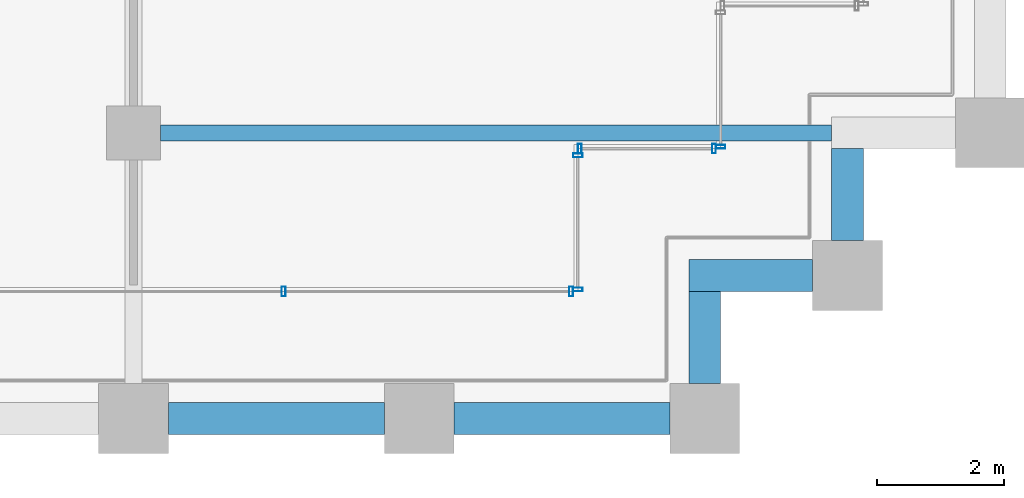
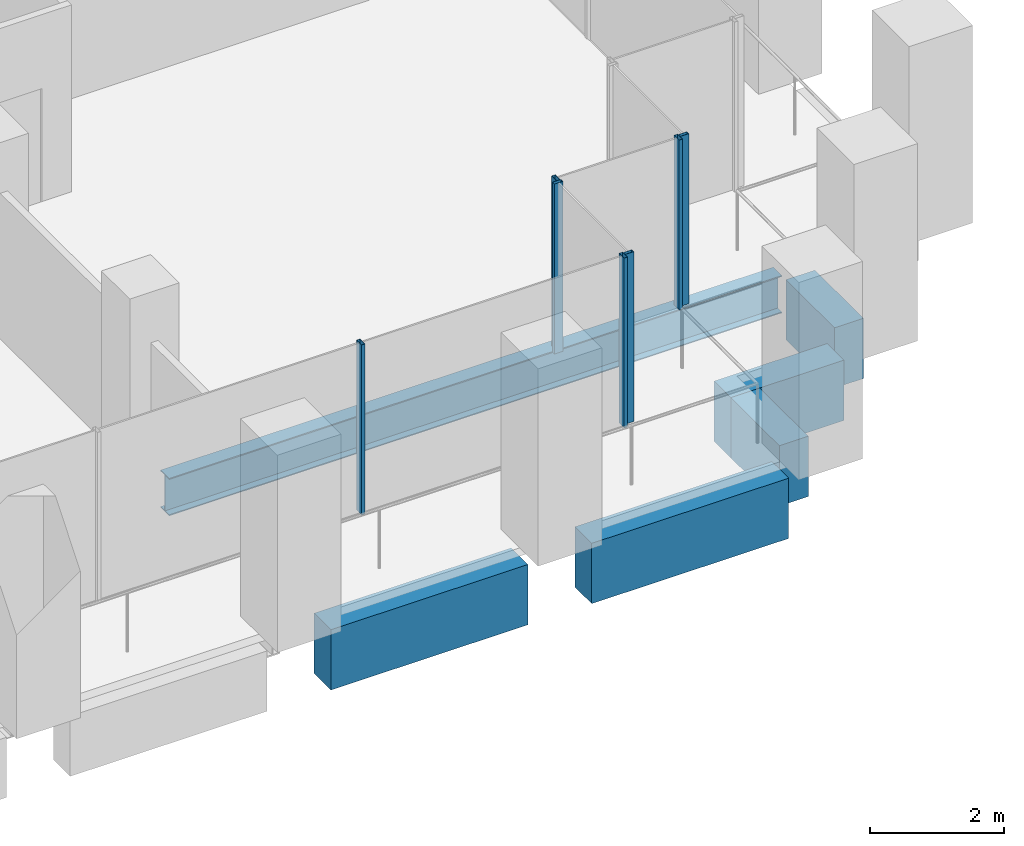
# One storey, part 15 of 56: 7 members, 6 beams, 4 elements without a shape of their own.
"""IFC4 building model written with IfcOpenShell, lengths in metres."""

from ifc_helpers import new_model, si_unit, direction, frame, origin, origin_2d, place, context, subcontext, project, spatial, rectangle, hollow_rectangle, i_section, extrude, material, material_profile, profile_set, type_object, element, aggregate, save


model = new_model("IFC4")

# Units and contexts
model_context = context("Model", 3, precision=1e-05, world=origin(), true_north=direction((0.0, 1.0)))
body_context = subcontext(model_context, "Body", "Model", "MODEL_VIEW")
ifc_project = project(units=[si_unit("LENGTHUNIT", "METRE"), si_unit("AREAUNIT", "SQUARE_METRE"), si_unit("VOLUMEUNIT", "CUBIC_METRE"), si_unit("PLANEANGLEUNIT", "RADIAN"), si_unit("MASSUNIT", "GRAM", prefix="KILO")], contexts=[model_context])

# Site, building, storey
site_placement = place(None, origin())
site = spatial("IfcSite", under=ifc_project, at=site_placement, CompositionType="ELEMENT")
building_placement = place(site_placement, origin())
building = spatial("IfcBuilding", under=site, at=building_placement, Name="Altepetl Exchange Towers", CompositionType="ELEMENT")
storey_placement = place(building_placement, frame((0.0, 0.0, 54.60009765625)))
storey = spatial("IfcBuildingStorey", under=building, at=storey_placement, Name="L12", CompositionType="ELEMENT", Elevation=54.60009765625)

# Beam
ifc_material_1 = material(Name="Steel S355", Category="steel")
ifc_material_profile_1 = material_profile(ifc_material_1, i_section(OverallWidth=0.25390625, OverallDepth=0.68408203125, WebThickness=0.012451171875, FlangeThickness=0.018798828125, at=origin_2d()), Name="W27X94")
ifc_profile_set_1 = profile_set([ifc_material_profile_1], Name="Steel S355")
beam_type_1 = type_object("IfcBeamType", Name="Floor beam W27X94", PredefinedType="BEAM", material=ifc_profile_set_1)
beam_1_placement = place(storey_placement, frame((58.925048828125, 31.5, -0.4921875), z_axis=(1.0, 0.0, 0.0), x_axis=(0.0, 1.0, 0.0)))
element("IfcBeam", 1, at=beam_1_placement, inside=storey, type_object=beam_type_1, Name="bm:A:L12:006", PredefinedType="BEAM", context=body_context, shape_type="SweptSolid", body=[
    extrude(i_section(OverallWidth=0.25390625, OverallDepth=0.68408203125, WebThickness=0.012451171875, FlangeThickness=0.018798828125, at=origin_2d()), origin(), (0.0, 0.0, 1.0), 10.574951171875),
])

# Curtain wall, members
ifc_material_2 = material(Name="Aluminium 6063-T6 glazing", Category="aluminium")
curtain_wall_type = type_object("IfcCurtainWallType", Name="Loggia glazing system", PredefinedType="NOTDEFINED", material=ifc_material_2)
curtain_wall_1_placement = place(storey_placement, origin())
curtain_wall_1 = element("IfcCurtainWall", 2, at=curtain_wall_1_placement, inside=storey, type_object=curtain_wall_type, Name="CW1 run", PredefinedType="NOTDEFINED")
ifc_material_3 = material(Name="Aluminium 6063-T6", Category="aluminium")
ifc_material_profile_2 = material_profile(ifc_material_3, hollow_rectangle(XDim=0.06005859375, YDim=0.14990234375, WallThickness=0.0029296875, at=origin_2d()), Name="Mullion 60x150 aluminium")
ifc_profile_set_2 = profile_set([ifc_material_profile_2], Name="Aluminium 6063-T6")
member_type = type_object("IfcMemberType", Name="Mullion 60x150 aluminium", PredefinedType="MULLION", material=ifc_profile_set_2)
member_1_placement = place(storey_placement, frame((60.8642578125, 29.0, 0.0)))
member_1 = element("IfcMember", 3, at=member_1_placement, type_object=member_type, Name="MU1 mullion", PredefinedType="MULLION", context=body_context, shape_type="SweptSolid", body=[
    extrude(hollow_rectangle(XDim=0.06005859375, YDim=0.14990234375, WallThickness=0.0029296875, at=origin_2d()), origin(), (0.0, 0.0, 1.0), 3.099853515625),
])
member_2_placement = place(storey_placement, frame((65.39501953125, 29.0, 0.0)))
member_2 = element("IfcMember", 4, at=member_2_placement, type_object=member_type, Name="MU1 mullion", PredefinedType="MULLION", context=body_context, shape_type="SweptSolid", body=[
    extrude(hollow_rectangle(XDim=0.06005859375, YDim=0.14990234375, WallThickness=0.0029296875, at=origin_2d()), origin(), (0.0, 0.0, 1.0), 3.099853515625),
])
aggregate(curtain_wall_1, [member_1, member_2])

curtain_wall_2_placement = place(storey_placement, origin())
curtain_wall_2 = element("IfcCurtainWall", 5, at=curtain_wall_2_placement, inside=storey, type_object=curtain_wall_type, Name="CW1 run", PredefinedType="NOTDEFINED")
member_3_placement = place(storey_placement, frame((65.5, 29.030029296875, 0.0), z_axis=(0.0, 0.0, 1.0), x_axis=(0.0, 1.0, 0.0)))
member_3 = element("IfcMember", 6, at=member_3_placement, type_object=member_type, Name="MU1 mullion", PredefinedType="MULLION", context=body_context, shape_type="SweptSolid", body=[
    extrude(hollow_rectangle(XDim=0.06005859375, YDim=0.14990234375, WallThickness=0.0029296875, at=origin_2d()), origin(), (0.0, 0.0, 1.0), 3.099853515625),
])
member_4_placement = place(storey_placement, frame((65.5, 31.14501953125, 0.0), z_axis=(0.0, 0.0, 1.0), x_axis=(0.0, 1.0, 0.0)))
member_4 = element("IfcMember", 7, at=member_4_placement, type_object=member_type, Name="MU1 mullion", PredefinedType="MULLION", context=body_context, shape_type="SweptSolid", body=[
    extrude(hollow_rectangle(XDim=0.06005859375, YDim=0.14990234375, WallThickness=0.0029296875, at=origin_2d()), origin(), (0.0, 0.0, 1.0), 3.099853515625),
])
aggregate(curtain_wall_2, [member_3, member_4])

curtain_wall_3_placement = place(storey_placement, origin())
curtain_wall_3 = element("IfcCurtainWall", 8, at=curtain_wall_3_placement, inside=storey, type_object=curtain_wall_type, Name="CW1 run", PredefinedType="NOTDEFINED")
member_5_placement = place(storey_placement, frame((65.530029296875, 31.25, 0.0)))
member_5 = element("IfcMember", 9, at=member_5_placement, type_object=member_type, Name="MU1 mullion", PredefinedType="MULLION", context=body_context, shape_type="SweptSolid", body=[
    extrude(hollow_rectangle(XDim=0.06005859375, YDim=0.14990234375, WallThickness=0.0029296875, at=origin_2d()), origin(), (0.0, 0.0, 1.0), 3.099853515625),
])
member_6_placement = place(storey_placement, frame((67.64501953125, 31.25, 0.0)))
member_6 = element("IfcMember", 10, at=member_6_placement, type_object=member_type, Name="MU1 mullion", PredefinedType="MULLION", context=body_context, shape_type="SweptSolid", body=[
    extrude(hollow_rectangle(XDim=0.06005859375, YDim=0.14990234375, WallThickness=0.0029296875, at=origin_2d()), origin(), (0.0, 0.0, 1.0), 3.099853515625),
])
aggregate(curtain_wall_3, [member_5, member_6])

# Curtain wall, member
curtain_wall_4_placement = place(storey_placement, origin())
curtain_wall_4 = element("IfcCurtainWall", 11, at=curtain_wall_4_placement, inside=storey, type_object=curtain_wall_type, Name="CW1 run", PredefinedType="NOTDEFINED")
member_7_placement = place(storey_placement, frame((67.75, 31.280029296875, 0.0), z_axis=(0.0, 0.0, 1.0), x_axis=(0.0, 1.0, 0.0)))
member_7 = element("IfcMember", 12, at=member_7_placement, type_object=member_type, Name="MU1 mullion", PredefinedType="MULLION", context=body_context, shape_type="SweptSolid", body=[
    extrude(hollow_rectangle(XDim=0.06005859375, YDim=0.14990234375, WallThickness=0.0029296875, at=origin_2d()), origin(), (0.0, 0.0, 1.0), 3.099853515625),
])
aggregate(curtain_wall_4, [member_7])

# Beams
ifc_material_4 = material(Name="Concrete C50/60 precast with cantera amarilla facing", Category="concrete")
ifc_material_profile_3 = material_profile(ifc_material_4, rectangle(XDim=0.5, YDim=1.10009765625, at=origin_2d()), Name="500 x 1100")
ifc_profile_set_3 = profile_set([ifc_material_profile_3], Name="Concrete C50/60 precast with cantera amarilla facing")
beam_type_2 = type_object("IfcBeamType", Name="Spandrel beam 500x1100 cantera amarilla", PredefinedType="SPANDREL", material=ifc_profile_set_3)
for number, where, z_axis, x_axis, name in (
    (13, (59.050048828125, 27.0, -0.7001953125), (1.0, 0.0, 0.0), (0.0, 1.0, 0.0), "sp:A:L12:006"),
    (14, (63.550048828125, 27.0, -0.7001953125), (1.0, 0.0, 0.0), (0.0, 1.0, 0.0), "sp:A:L12:007"),
):
    element("IfcBeam", number, at=place(storey_placement, frame(where, z_axis=z_axis, x_axis=x_axis)), inside=storey, type_object=beam_type_2, Name=name, PredefinedType="SPANDREL", context=body_context, shape_type="SweptSolid", body=[
        extrude(rectangle(XDim=0.5, YDim=1.10009765625, at=origin_2d()), origin(), (0.0, 0.0, 1.0), 3.39990234375),
    ])
beam_2_placement = place(storey_placement, frame((67.5, 27.550048828125, -0.7001953125), z_axis=(0.0, 1.0, 0.0), x_axis=(-1.0, 0.0, 0.0)))
element("IfcBeam", 15, at=beam_2_placement, inside=storey, type_object=beam_type_2, Name="sp:A:L12:008", PredefinedType="SPANDREL", context=body_context, shape_type="SweptSolid", body=[
    extrude(rectangle(XDim=0.5, YDim=1.10009765625, at=origin_2d()), origin(), (0.0, 0.0, 1.0), 1.449951171875),
])
beam_3_placement = place(storey_placement, frame((67.25, 29.25, -0.7001953125), z_axis=(1.0, 0.0, 0.0), x_axis=(0.0, 1.0, 0.0)))
element("IfcBeam", 16, at=beam_3_placement, inside=storey, type_object=beam_type_2, Name="sp:A:L12:009", PredefinedType="SPANDREL", context=body_context, shape_type="SweptSolid", body=[
    extrude(rectangle(XDim=0.5, YDim=1.10009765625, at=origin_2d()), origin(), (0.0, 0.0, 1.0), 1.949951171875),
])
beam_4_placement = place(storey_placement, frame((69.75, 29.800048828125, -0.7001953125), z_axis=(0.0, 1.0, 0.0), x_axis=(-1.0, 0.0, 0.0)))
element("IfcBeam", 17, at=beam_4_placement, inside=storey, type_object=beam_type_2, Name="sp:A:L12:010", PredefinedType="SPANDREL", context=body_context, shape_type="SweptSolid", body=[
    extrude(rectangle(XDim=0.5, YDim=1.10009765625, at=origin_2d()), origin(), (0.0, 0.0, 1.0), 1.449951171875),
])

save(model, "model.ifc")
